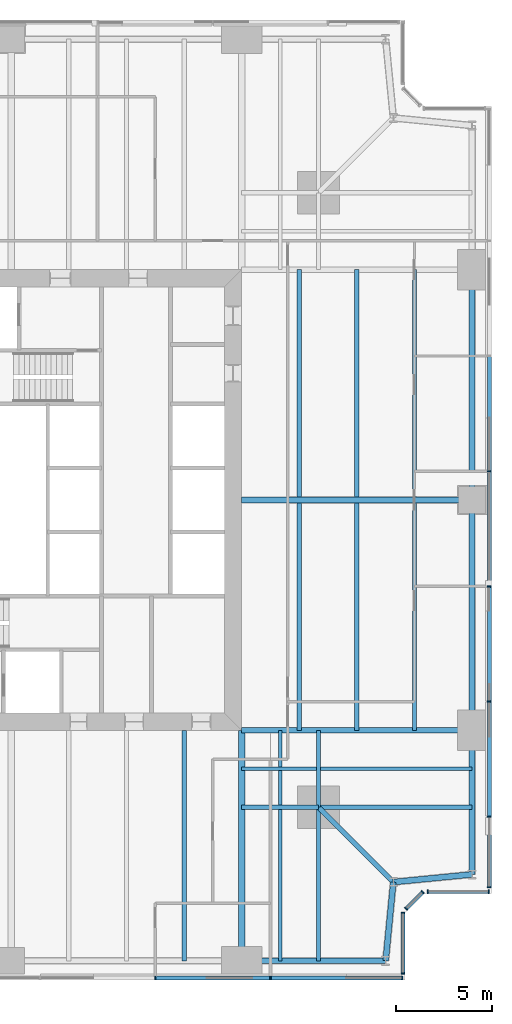
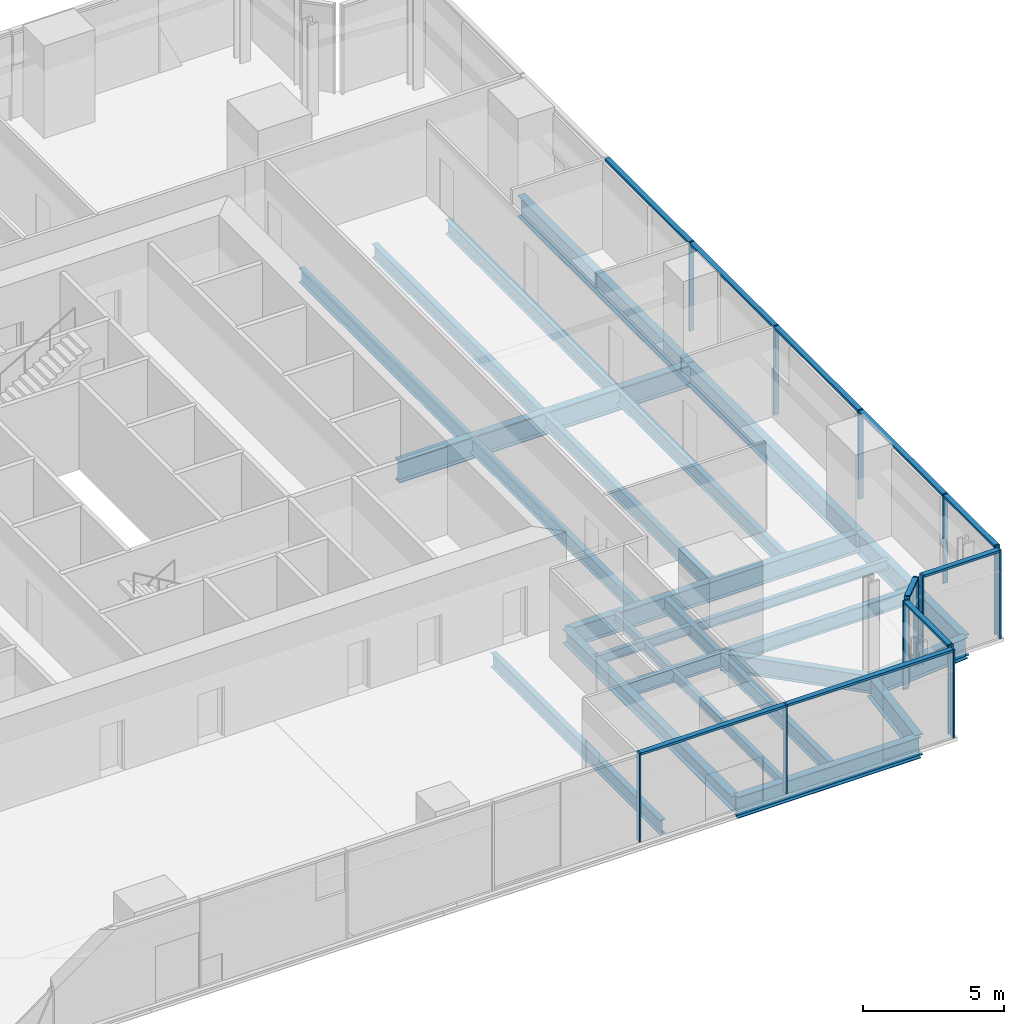
# One storey, part 5 of 14: 26 beams, 24 members, 5 elements without a shape of their own.
"""IFC4 building model written with IfcOpenShell, lengths in metres."""

from ifc_helpers import new_model, si_unit, direction, frame, origin, origin_2d, place, context, subcontext, project, spatial, rectangle, i_section, extrude, material, material_profile, profile_set, type_object, element, aggregate, save


model = new_model("IFC4")

# Units and contexts
model_context = context("Model", 3, precision=1e-05, world=origin(), true_north=direction((0.0, 1.0)))
body_context = subcontext(model_context, "Body", "Model", "MODEL_VIEW")
ifc_project = project(units=[si_unit("LENGTHUNIT", "METRE"), si_unit("AREAUNIT", "SQUARE_METRE"), si_unit("VOLUMEUNIT", "CUBIC_METRE"), si_unit("PLANEANGLEUNIT", "RADIAN"), si_unit("MASSUNIT", "GRAM", prefix="KILO")], contexts=[model_context])

# Site, building, storey
site_placement = place(None, origin())
site = spatial("IfcSite", under=ifc_project, at=site_placement, CompositionType="ELEMENT")
building_placement = place(site_placement, origin())
building = spatial("IfcBuilding", under=site, at=building_placement, Name="Fenwick Lantern Interchange", CompositionType="ELEMENT")
storey_placement = place(building_placement, frame((0.0, 0.0, 122.39990234375)))
storey = spatial("IfcBuildingStorey", under=building, at=storey_placement, Name="L28", CompositionType="ELEMENT", Elevation=122.39990234375)

# Beams
ifc_material_1 = material(Name="Steel ASTM A992 Grade 50", Category="steel")
ifc_material_profile_1 = material_profile(ifc_material_1, i_section(OverallWidth=0.3046875, OverallDepth=0.911865234375, WebThickness=0.015869140625, FlangeThickness=0.02392578125, at=origin_2d()), Name="W36X150")
ifc_profile_set_1 = profile_set([ifc_material_profile_1], Name="Steel ASTM A992 Grade 50")
beam_type_1 = type_object("IfcBeamType", Name="EDGE BEAM W36X150", PredefinedType="SPANDREL", material=ifc_profile_set_1)
beam_1_placement = place(storey_placement, frame((37.0, 1.0, -0.605712890625), z_axis=(1.0, 0.0, 0.0), x_axis=(0.0, 1.0, 0.0)))
element("IfcBeam", 1, at=beam_1_placement, inside=storey, type_object=beam_type_1, Name="L28/FR/S/EB4", PredefinedType="SPANDREL", context=body_context, shape_type="SweptSolid", body=[
    extrude(i_section(OverallWidth=0.3046875, OverallDepth=0.911865234375, WebThickness=0.015869140625, FlangeThickness=0.02392578125, at=origin_2d()), origin(), (0.0, 0.0, 1.0), 7.5),
])
for number, where, z_axis, x_axis, name in (
    (2, (44.5, 1.0, -0.605712890625), (0.097074191287, 0.995277148028, 0.0), (-0.995277148028, 0.097074191287, 0.0), "L28/FR/S/EBR1"),
    (3, (44.89990234375, 5.10009765625, -0.605712890625), (0.995277148028, 0.097074191287, 0.0), (-0.097074191287, 0.995277148028, 0.0), "L28/FR/S/EBR2"),
):
    element("IfcBeam", number, at=place(storey_placement, frame(where, z_axis=z_axis, x_axis=x_axis)), inside=storey, type_object=beam_type_1, Name=name, PredefinedType="SPANDREL", context=body_context, shape_type="SweptSolid", body=[
        extrude(i_section(OverallWidth=0.3046875, OverallDepth=0.911865234375, WebThickness=0.015869140625, FlangeThickness=0.02392578125, at=origin_2d()), origin(), (0.0, 0.0, 1.0), 4.11962890625),
    ])
beam_2_placement = place(storey_placement, frame((49.0, 5.5, -0.605712890625), z_axis=(0.0, 1.0, 0.0), x_axis=(-1.0, 0.0, 0.0)))
element("IfcBeam", 4, at=beam_2_placement, inside=storey, type_object=beam_type_1, Name="L28/FR/E/EB1", PredefinedType="SPANDREL", context=body_context, shape_type="SweptSolid", body=[
    extrude(i_section(OverallWidth=0.3046875, OverallDepth=0.911865234375, WebThickness=0.015869140625, FlangeThickness=0.02392578125, at=origin_2d()), origin(), (0.0, 0.0, 1.0), 7.5),
])
for number, where, z_axis, x_axis, name in (
    (5, (49.0, 13.0, -0.605712890625), (0.0, 1.0, 0.0), (-1.0, 0.0, 0.0), "L28/FR/E/EB2"),
    (6, (49.0, 25.0, -0.605712890625), (0.0, 1.0, 0.0), (-1.0, 0.0, 0.0), "L28/FR/E/EB3"),
):
    element("IfcBeam", number, at=place(storey_placement, frame(where, z_axis=z_axis, x_axis=x_axis)), inside=storey, type_object=beam_type_1, Name=name, PredefinedType="SPANDREL", context=body_context, shape_type="SweptSolid", body=[
        extrude(i_section(OverallWidth=0.3046875, OverallDepth=0.911865234375, WebThickness=0.015869140625, FlangeThickness=0.02392578125, at=origin_2d()), origin(), (0.0, 0.0, 1.0), 12.0),
    ])
ifc_material_profile_2 = material_profile(ifc_material_1, i_section(OverallWidth=0.22900390625, OverallDepth=0.612060546875, WebThickness=0.011962890625, FlangeThickness=0.01953125, at=origin_2d()), Name="W24X84")
ifc_profile_set_2 = profile_set([ifc_material_profile_2], Name="Steel ASTM A992 Grade 50")
beam_type_2 = type_object("IfcBeamType", Name="FLOOR BEAM W24X84", PredefinedType="BEAM", material=ifc_profile_set_2)
beam_3_placement = place(storey_placement, frame((34.0, 1.0, -0.4560546875), z_axis=(0.0, 1.0, 0.0), x_axis=(-1.0, 0.0, 0.0)))
element("IfcBeam", 7, at=beam_3_placement, inside=storey, type_object=beam_type_2, Name="L28/FR/S/R08", PredefinedType="BEAM", context=body_context, shape_type="SweptSolid", body=[
    extrude(i_section(OverallWidth=0.22900390625, OverallDepth=0.612060546875, WebThickness=0.011962890625, FlangeThickness=0.01953125, at=origin_2d()), origin(), (0.0, 0.0, 1.0), 12.0),
])
for number, where, z_axis, x_axis, name in (
    (8, (46.0, 13.0, -0.4560546875), (0.0, 1.0, 0.0), (-1.0, 0.0, 0.0), "L28/FR/E/B01"),
    (9, (43.0, 13.0, -0.4560546875), (0.0, 1.0, 0.0), (-1.0, 0.0, 0.0), "L28/FR/E/B02"),
    (10, (40.0, 13.0, -0.4560546875), (0.0, 1.0, 0.0), (-1.0, 0.0, 0.0), "L28/FR/E/B03"),
    (11, (46.0, 25.155029296875, -0.4560546875), (0.0, 1.0, 0.0), (-1.0, 0.0, 0.0), "L28/FR/E/B04"),
    (12, (43.0, 25.155029296875, -0.4560546875), (0.0, 1.0, 0.0), (-1.0, 0.0, 0.0), "L28/FR/E/B05"),
    (13, (40.0, 25.155029296875, -0.4560546875), (0.0, 1.0, 0.0), (-1.0, 0.0, 0.0), "L28/FR/E/B06"),
):
    element("IfcBeam", number, at=place(storey_placement, frame(where, z_axis=z_axis, x_axis=x_axis)), inside=storey, type_object=beam_type_2, Name=name, PredefinedType="BEAM", context=body_context, shape_type="SweptSolid", body=[
        extrude(i_section(OverallWidth=0.22900390625, OverallDepth=0.612060546875, WebThickness=0.011962890625, FlangeThickness=0.01953125, at=origin_2d()), origin(), (0.0, 0.0, 1.0), 11.844970703125),
    ])
ifc_material_profile_3 = material_profile(ifc_material_1, i_section(OverallWidth=0.177734375, OverallDepth=0.406494140625, WebThickness=0.0078125, FlangeThickness=0.012939453125, at=origin_2d()), Name="W16X40")
ifc_profile_set_3 = profile_set([ifc_material_profile_3], Name="Steel ASTM A992 Grade 50")
beam_type_3 = type_object("IfcBeamType", Name="INFILL BEAM W16X40", PredefinedType="JOIST", material=ifc_profile_set_3)
beam_4_placement = place(storey_placement, frame((49.0, 11.0, -0.35302734375), z_axis=(-1.0, 0.0, 0.0), x_axis=(0.0, -1.0, 0.0)))
element("IfcBeam", 14, at=beam_4_placement, inside=storey, type_object=beam_type_3, Name="L28/FR/E/J1", PredefinedType="JOIST", context=body_context, shape_type="SweptSolid", body=[
    extrude(i_section(OverallWidth=0.177734375, OverallDepth=0.406494140625, WebThickness=0.0078125, FlangeThickness=0.012939453125, at=origin_2d()), origin(), (0.0, 0.0, 1.0), 7.885498046875),
])
beam_5_placement = place(storey_placement, frame((40.885498046875, 11.0, -0.35302734375), z_axis=(-1.0, 0.0, 0.0), x_axis=(0.0, -1.0, 0.0)))
element("IfcBeam", 15, at=beam_5_placement, inside=storey, type_object=beam_type_3, Name="L28/FR/E/J2", PredefinedType="JOIST", context=body_context, shape_type="SweptSolid", body=[
    extrude(i_section(OverallWidth=0.177734375, OverallDepth=0.406494140625, WebThickness=0.0078125, FlangeThickness=0.012939453125, at=origin_2d()), origin(), (0.0, 0.0, 1.0), 3.885498046875),
])
beam_6_placement = place(storey_placement, frame((39.0, 1.0, -0.35302734375), z_axis=(0.0, 1.0, 0.0), x_axis=(-1.0, 0.0, 0.0)))
element("IfcBeam", 16, at=beam_6_placement, inside=storey, type_object=beam_type_3, Name="L28/FR/E/J3", PredefinedType="JOIST", context=body_context, shape_type="SweptSolid", body=[
    extrude(i_section(OverallWidth=0.177734375, OverallDepth=0.406494140625, WebThickness=0.0078125, FlangeThickness=0.012939453125, at=origin_2d()), origin(), (0.0, 0.0, 1.0), 7.885498046875),
])
beam_7_placement = place(storey_placement, frame((39.0, 9.114501953125, -0.35302734375), z_axis=(0.0, 1.0, 0.0), x_axis=(-1.0, 0.0, 0.0)))
element("IfcBeam", 17, at=beam_7_placement, inside=storey, type_object=beam_type_3, Name="L28/FR/E/J4", PredefinedType="JOIST", context=body_context, shape_type="SweptSolid", body=[
    extrude(i_section(OverallWidth=0.177734375, OverallDepth=0.406494140625, WebThickness=0.0078125, FlangeThickness=0.012939453125, at=origin_2d()), origin(), (0.0, 0.0, 1.0), 1.796630859375),
])
beam_8_placement = place(storey_placement, frame((39.0, 11.0888671875, -0.35302734375), z_axis=(0.0, 1.0, 0.0), x_axis=(-1.0, 0.0, 0.0)))
element("IfcBeam", 18, at=beam_8_placement, inside=storey, type_object=beam_type_3, Name="L28/FR/E/J5", PredefinedType="JOIST", context=body_context, shape_type="SweptSolid", body=[
    extrude(i_section(OverallWidth=0.177734375, OverallDepth=0.406494140625, WebThickness=0.0078125, FlangeThickness=0.012939453125, at=origin_2d()), origin(), (0.0, 0.0, 1.0), 1.9111328125),
])
ifc_material_profile_4 = material_profile(ifc_material_1, i_section(OverallWidth=0.22900390625, OverallDepth=0.612060546875, WebThickness=0.011962890625, FlangeThickness=0.01953125, at=origin_2d()), Name="W24X84")
ifc_profile_set_4 = profile_set([ifc_material_profile_4], Name="Steel ASTM A992 Grade 50")
beam_type_4 = type_object("IfcBeamType", Name="MEGA COLUMN BEAM W24X84", PredefinedType="BEAM", material=ifc_profile_set_4)
for number, where, z_axis, x_axis, name in (
    (19, (41.0, 9.0, -0.4560546875), (1.0, 0.0, 0.0), (0.0, 1.0, 0.0), "L28/FR/E/MB1"),
    (20, (41.0, 9.0, -0.4560546875), (0.0, -1.0, 0.0), (1.0, 0.0, 0.0), "L28/FR/E/MB2"),
):
    element("IfcBeam", number, at=place(storey_placement, frame(where, z_axis=z_axis, x_axis=x_axis)), inside=storey, type_object=beam_type_4, Name=name, PredefinedType="BEAM", context=body_context, shape_type="SweptSolid", body=[
        extrude(i_section(OverallWidth=0.22900390625, OverallDepth=0.612060546875, WebThickness=0.011962890625, FlangeThickness=0.01953125, at=origin_2d()), origin(), (0.0, 0.0, 1.0), 8.0),
    ])
for number, where, z_axis, x_axis, name in (
    (21, (41.0, 9.0, -0.4560546875), (0.0, 1.0, 0.0), (-1.0, 0.0, 0.0), "L28/FR/E/MB3"),
    (22, (41.0, 9.0, -0.4560546875), (-1.0, 0.0, 0.0), (0.0, -1.0, 0.0), "L28/FR/E/MB4"),
):
    element("IfcBeam", number, at=place(storey_placement, frame(where, z_axis=z_axis, x_axis=x_axis)), inside=storey, type_object=beam_type_4, Name=name, PredefinedType="BEAM", context=body_context, shape_type="SweptSolid", body=[
        extrude(i_section(OverallWidth=0.22900390625, OverallDepth=0.612060546875, WebThickness=0.011962890625, FlangeThickness=0.01953125, at=origin_2d()), origin(), (0.0, 0.0, 1.0), 4.0),
    ])
ifc_material_profile_5 = material_profile(ifc_material_1, i_section(OverallWidth=0.32763671875, OverallDepth=0.622314453125, WebThickness=0.015380859375, FlangeThickness=0.0244140625, at=origin_2d()), Name="W24X131")
ifc_profile_set_5 = profile_set([ifc_material_profile_5], Name="Steel ASTM A992 Grade 50")
beam_type_5 = type_object("IfcBeamType", Name="MOMENT-CONNECTED GIRDER W24X131", PredefinedType="BEAM", material=ifc_profile_set_5)
beam_9_placement = place(storey_placement, frame((37.0, 1.0, -0.4609375), z_axis=(0.0, 1.0, 0.0), x_axis=(-1.0, 0.0, 0.0)))
element("IfcBeam", 23, at=beam_9_placement, inside=storey, type_object=beam_type_5, Name="L28/FR/S/R09", PredefinedType="BEAM", context=body_context, shape_type="SweptSolid", body=[
    extrude(i_section(OverallWidth=0.32763671875, OverallDepth=0.622314453125, WebThickness=0.015380859375, FlangeThickness=0.0244140625, at=origin_2d()), origin(), (0.0, 0.0, 1.0), 12.0),
])
ifc_material_profile_6 = material_profile(ifc_material_1, i_section(OverallWidth=0.2919921875, OverallDepth=0.845703125, WebThickness=0.015380859375, FlangeThickness=0.0244140625, at=origin_2d()), Name="W33X141")
ifc_profile_set_6 = profile_set([ifc_material_profile_6], Name="Steel ASTM A992 Grade 50")
beam_type_6 = type_object("IfcBeamType", Name="MOMENT-CONNECTED GIRDER W33X141", PredefinedType="BEAM", material=ifc_profile_set_6)
beam_10_placement = place(storey_placement, frame((49.0, 13.0, -0.57275390625), z_axis=(-1.0, 0.0, 0.0), x_axis=(0.0, -1.0, 0.0)))
element("IfcBeam", 24, at=beam_10_placement, inside=storey, type_object=beam_type_6, Name="L28/FR/E/R01", PredefinedType="BEAM", context=body_context, shape_type="SweptSolid", body=[
    extrude(i_section(OverallWidth=0.2919921875, OverallDepth=0.845703125, WebThickness=0.015380859375, FlangeThickness=0.0244140625, at=origin_2d()), origin(), (0.0, 0.0, 1.0), 12.0),
])
ifc_material_profile_7 = material_profile(ifc_material_1, i_section(OverallWidth=0.309814453125, OverallDepth=0.949951171875, WebThickness=0.0244140625, FlangeThickness=0.0439453125, at=origin_2d()), Name="W36X256")
ifc_profile_set_7 = profile_set([ifc_material_profile_7], Name="Steel ASTM A992 Grade 50")
beam_type_7 = type_object("IfcBeamType", Name="MOMENT-CONNECTED GIRDER W36X256", PredefinedType="BEAM", material=ifc_profile_set_7)
beam_11_placement = place(storey_placement, frame((49.0, 25.0, -0.625), z_axis=(-1.0, 0.0, 0.0), x_axis=(0.0, -1.0, 0.0)))
element("IfcBeam", 25, at=beam_11_placement, inside=storey, type_object=beam_type_7, Name="L28/FR/E/R02", PredefinedType="BEAM", context=body_context, shape_type="SweptSolid", body=[
    extrude(i_section(OverallWidth=0.309814453125, OverallDepth=0.949951171875, WebThickness=0.0244140625, FlangeThickness=0.0439453125, at=origin_2d()), origin(), (0.0, 0.0, 1.0), 12.0),
])
ifc_material_profile_8 = material_profile(ifc_material_1, i_section(OverallWidth=0.2666015625, OverallDepth=0.7568359375, WebThickness=0.013916015625, FlangeThickness=0.019287109375, at=origin_2d()), Name="W30X108")
ifc_profile_set_8 = profile_set([ifc_material_profile_8], Name="Steel ASTM A992 Grade 50")
beam_type_8 = type_object("IfcBeamType", Name="NOTCH BEAM W30X108", PredefinedType="BEAM", material=ifc_profile_set_8)
beam_12_placement = place(storey_placement, frame((41.0, 9.0, -0.5283203125), z_axis=(0.707106781187, -0.707106781187, 0.0), x_axis=(0.707106781187, 0.707106781187, 0.0)))
element("IfcBeam", 26, at=beam_12_placement, inside=storey, type_object=beam_type_8, Name="L28/FR/E/TG", PredefinedType="BEAM", context=body_context, shape_type="SweptSolid", body=[
    extrude(i_section(OverallWidth=0.2666015625, OverallDepth=0.7568359375, WebThickness=0.013916015625, FlangeThickness=0.019287109375, at=origin_2d()), origin(), (0.0, 0.0, 1.0), 5.515380859375),
])

# Curtain wall, members
ifc_material_2 = material(Name="Aluminium curtain wall frame", Category="aluminium")
curtain_wall_type = type_object("IfcCurtainWallType", Name="OFFICE CURTAIN WALL", PredefinedType="USERDEFINED", material=ifc_material_2)
curtain_wall_1_placement = place(storey_placement, origin())
curtain_wall_1 = element("IfcCurtainWall", 27, at=curtain_wall_1_placement, inside=storey, type_object=curtain_wall_type, Name="Office curtain wall 01", ObjectType="OFFICE CURTAIN WALL", PredefinedType="USERDEFINED")
ifc_material_3 = material(Name="Aluminium extrusion", Category="aluminium")
ifc_material_profile_9 = material_profile(ifc_material_3, rectangle(XDim=0.199951171875, YDim=0.06494140625, at=origin_2d()), Name="OFFICE CURTAIN WALL MULLION 65 X 200")
ifc_profile_set_9 = profile_set([ifc_material_profile_9], Name="Aluminium extrusion")
member_type_1 = type_object("IfcMemberType", Name="OFFICE CURTAIN WALL MULLION 65 X 200", PredefinedType="MULLION", material=ifc_profile_set_9)
member_1_placement = place(storey_placement, frame((32.5, 0.10009765625, 0.0), z_axis=(0.0, 0.0, 1.0), x_axis=(0.0, 1.0, 0.0)))
member_1 = element("IfcMember", 28, at=member_1_placement, type_object=member_type_1, Name="L28/CW/01/M05", PredefinedType="MULLION", context=body_context, shape_type="SweptSolid", body=[
    extrude(rectangle(XDim=0.199951171875, YDim=0.06494140625, at=origin_2d()), origin(), (0.0, 0.0, 1.0), 3.85009765625),
])
member_2_placement = place(storey_placement, frame((38.5, 0.10009765625, 0.0), z_axis=(0.0, 0.0, 1.0), x_axis=(0.0, 1.0, 0.0)))
member_2 = element("IfcMember", 29, at=member_2_placement, type_object=member_type_1, Name="L28/CW/01/M06", PredefinedType="MULLION", context=body_context, shape_type="SweptSolid", body=[
    extrude(rectangle(XDim=0.199951171875, YDim=0.06494140625, at=origin_2d()), origin(), (0.0, 0.0, 1.0), 3.85009765625),
])
member_3_placement = place(storey_placement, frame((45.367431640625, 0.10009765625, 0.0), z_axis=(0.0, 0.0, 1.0), x_axis=(0.0, 1.0, 0.0)))
member_3 = element("IfcMember", 30, at=member_3_placement, type_object=member_type_1, Name="L28/CW/01/M07", PredefinedType="MULLION", context=body_context, shape_type="SweptSolid", body=[
    extrude(rectangle(XDim=0.199951171875, YDim=0.06494140625, at=origin_2d()), origin(), (0.0, 0.0, 1.0), 3.85009765625),
])

curtain_wall_2_placement = place(storey_placement, origin())
curtain_wall_2 = element("IfcCurtainWall", 31, at=curtain_wall_2_placement, inside=storey, type_object=curtain_wall_type, Name="Office curtain wall 02", ObjectType="OFFICE CURTAIN WALL", PredefinedType="USERDEFINED")
member_4_placement = place(storey_placement, frame((45.39990234375, 0.33251953125, 0.0), z_axis=(0.0, 0.0, 1.0), x_axis=(-1.0, 0.0, 0.0)))
member_4 = element("IfcMember", 32, at=member_4_placement, type_object=member_type_1, Name="L28/CW/02/M00", PredefinedType="MULLION", context=body_context, shape_type="SweptSolid", body=[
    extrude(rectangle(XDim=0.199951171875, YDim=0.06494140625, at=origin_2d()), origin(), (0.0, 0.0, 1.0), 3.85009765625),
])
member_5_placement = place(storey_placement, frame((45.39990234375, 3.509033203125, 0.0), z_axis=(0.0, 0.0, 1.0), x_axis=(-1.0, 0.0, 0.0)))
member_5 = element("IfcMember", 33, at=member_5_placement, type_object=member_type_1, Name="L28/CW/02/M01", PredefinedType="MULLION", context=body_context, shape_type="SweptSolid", body=[
    extrude(rectangle(XDim=0.199951171875, YDim=0.06494140625, at=origin_2d()), origin(), (0.0, 0.0, 1.0), 3.85009765625),
])

curtain_wall_3_placement = place(storey_placement, origin())
curtain_wall_3 = element("IfcCurtainWall", 34, at=curtain_wall_3_placement, inside=storey, type_object=curtain_wall_type, Name="Office curtain wall 03", ObjectType="OFFICE CURTAIN WALL", PredefinedType="USERDEFINED")
member_6_placement = place(storey_placement, frame((45.564453125, 3.705810546875, 0.0), z_axis=(0.0, 0.0, 1.0), x_axis=(-0.707106781187, 0.707106781187, 0.0)))
member_6 = element("IfcMember", 35, at=member_6_placement, type_object=member_type_1, Name="L28/CW/03/M00", PredefinedType="MULLION", context=body_context, shape_type="SweptSolid", body=[
    extrude(rectangle(XDim=0.199951171875, YDim=0.06494140625, at=origin_2d()), origin(), (0.0, 0.0, 1.0), 3.85009765625),
])
member_7_placement = place(storey_placement, frame((46.435546875, 4.576904296875, 0.0), z_axis=(0.0, 0.0, 1.0), x_axis=(-0.707106781187, 0.707106781187, 0.0)))
member_7 = element("IfcMember", 36, at=member_7_placement, type_object=member_type_1, Name="L28/CW/03/M01", PredefinedType="MULLION", context=body_context, shape_type="SweptSolid", body=[
    extrude(rectangle(XDim=0.199951171875, YDim=0.06494140625, at=origin_2d()), origin(), (0.0, 0.0, 1.0), 3.85009765625),
])

curtain_wall_4_placement = place(storey_placement, origin())
curtain_wall_4 = element("IfcCurtainWall", 37, at=curtain_wall_4_placement, inside=storey, type_object=curtain_wall_type, Name="Office curtain wall 04", ObjectType="OFFICE CURTAIN WALL", PredefinedType="USERDEFINED")
member_8_placement = place(storey_placement, frame((46.691162109375, 4.60009765625, 0.0), z_axis=(0.0, 0.0, 1.0), x_axis=(0.0, 1.0, 0.0)))
member_8 = element("IfcMember", 38, at=member_8_placement, type_object=member_type_1, Name="L28/CW/04/M00", PredefinedType="MULLION", context=body_context, shape_type="SweptSolid", body=[
    extrude(rectangle(XDim=0.199951171875, YDim=0.06494140625, at=origin_2d()), origin(), (0.0, 0.0, 1.0), 3.85009765625),
])
member_9_placement = place(storey_placement, frame((49.867431640625, 4.60009765625, 0.0), z_axis=(0.0, 0.0, 1.0), x_axis=(0.0, 1.0, 0.0)))
member_9 = element("IfcMember", 39, at=member_9_placement, type_object=member_type_1, Name="L28/CW/04/M01", PredefinedType="MULLION", context=body_context, shape_type="SweptSolid", body=[
    extrude(rectangle(XDim=0.199951171875, YDim=0.06494140625, at=origin_2d()), origin(), (0.0, 0.0, 1.0), 3.85009765625),
])

curtain_wall_5_placement = place(storey_placement, origin())
curtain_wall_5 = element("IfcCurtainWall", 40, at=curtain_wall_5_placement, inside=storey, type_object=curtain_wall_type, Name="Office curtain wall 05", ObjectType="OFFICE CURTAIN WALL", PredefinedType="USERDEFINED")
member_10_placement = place(storey_placement, frame((49.89990234375, 4.83251953125, 0.0), z_axis=(0.0, 0.0, 1.0), x_axis=(-1.0, 0.0, 0.0)))
member_10 = element("IfcMember", 41, at=member_10_placement, type_object=member_type_1, Name="L28/CW/05/M00", PredefinedType="MULLION", context=body_context, shape_type="SweptSolid", body=[
    extrude(rectangle(XDim=0.199951171875, YDim=0.06494140625, at=origin_2d()), origin(), (0.0, 0.0, 1.0), 3.85009765625),
])
member_11_placement = place(storey_placement, frame((49.89990234375, 8.5, 0.0), z_axis=(0.0, 0.0, 1.0), x_axis=(-1.0, 0.0, 0.0)))
member_11 = element("IfcMember", 42, at=member_11_placement, type_object=member_type_1, Name="L28/CW/05/M01", PredefinedType="MULLION", context=body_context, shape_type="SweptSolid", body=[
    extrude(rectangle(XDim=0.199951171875, YDim=0.06494140625, at=origin_2d()), origin(), (0.0, 0.0, 1.0), 3.85009765625),
])
member_12_placement = place(storey_placement, frame((49.89990234375, 14.5, 0.0), z_axis=(0.0, 0.0, 1.0), x_axis=(-1.0, 0.0, 0.0)))
member_12 = element("IfcMember", 43, at=member_12_placement, type_object=member_type_1, Name="L28/CW/05/M02", PredefinedType="MULLION", context=body_context, shape_type="SweptSolid", body=[
    extrude(rectangle(XDim=0.199951171875, YDim=0.06494140625, at=origin_2d()), origin(), (0.0, 0.0, 1.0), 3.85009765625),
])
member_13_placement = place(storey_placement, frame((49.89990234375, 20.5, 0.0), z_axis=(0.0, 0.0, 1.0), x_axis=(-1.0, 0.0, 0.0)))
member_13 = element("IfcMember", 44, at=member_13_placement, type_object=member_type_1, Name="L28/CW/05/M03", PredefinedType="MULLION", context=body_context, shape_type="SweptSolid", body=[
    extrude(rectangle(XDim=0.199951171875, YDim=0.06494140625, at=origin_2d()), origin(), (0.0, 0.0, 1.0), 3.85009765625),
])
member_14_placement = place(storey_placement, frame((49.89990234375, 26.5, 0.0), z_axis=(0.0, 0.0, 1.0), x_axis=(-1.0, 0.0, 0.0)))
member_14 = element("IfcMember", 45, at=member_14_placement, type_object=member_type_1, Name="L28/CW/05/M04", PredefinedType="MULLION", context=body_context, shape_type="SweptSolid", body=[
    extrude(rectangle(XDim=0.199951171875, YDim=0.06494140625, at=origin_2d()), origin(), (0.0, 0.0, 1.0), 3.85009765625),
])

# Member
ifc_material_profile_10 = material_profile(ifc_material_3, rectangle(XDim=0.199951171875, YDim=0.10009765625, at=origin_2d()), Name="OFFICE CURTAIN WALL TRANSOM 100 X 200")
ifc_profile_set_10 = profile_set([ifc_material_profile_10], Name="Aluminium extrusion")
member_type_2 = type_object("IfcMemberType", Name="OFFICE CURTAIN WALL TRANSOM 100 X 200", PredefinedType="MULLION", material=ifc_profile_set_10)
member_15_placement = place(storey_placement, frame((32.532470703125, 0.10009765625, 3.800048828125), z_axis=(1.0, 0.0, 0.0), x_axis=(0.0, 1.0, 0.0)))
member_15 = element("IfcMember", 46, at=member_15_placement, type_object=member_type_2, Name="L28/CW/01/T05", PredefinedType="MULLION", context=body_context, shape_type="SweptSolid", body=[
    extrude(rectangle(XDim=0.199951171875, YDim=0.10009765625, at=origin_2d()), origin(), (0.0, 0.0, 1.0), 5.93505859375),
])

member_16_placement = place(storey_placement, frame((38.532470703125, 0.10009765625, 3.800048828125), z_axis=(1.0, 0.0, 0.0), x_axis=(0.0, 1.0, 0.0)))
member_16 = element("IfcMember", 47, at=member_16_placement, type_object=member_type_2, Name="L28/CW/01/T06", PredefinedType="MULLION", context=body_context, shape_type="SweptSolid", body=[
    extrude(rectangle(XDim=0.199951171875, YDim=0.10009765625, at=origin_2d()), origin(), (0.0, 0.0, 1.0), 6.802490234375),
])

aggregate(curtain_wall_1, [member_1, member_2, member_3, member_15, member_16])

member_17_placement = place(storey_placement, frame((45.39990234375, 0.364990234375, 3.800048828125), z_axis=(0.0, 1.0, 0.0), x_axis=(-1.0, 0.0, 0.0)))
member_17 = element("IfcMember", 48, at=member_17_placement, type_object=member_type_2, Name="L28/CW/02/T00", PredefinedType="MULLION", context=body_context, shape_type="SweptSolid", body=[
    extrude(rectangle(XDim=0.199951171875, YDim=0.10009765625, at=origin_2d()), origin(), (0.0, 0.0, 1.0), 3.111328125),
])

aggregate(curtain_wall_2, [member_4, member_5, member_17])

member_18_placement = place(storey_placement, frame((45.58740234375, 3.728759765625, 3.800048828125), z_axis=(0.707106781187, 0.707106781187, 0.0), x_axis=(-0.707106781187, 0.707106781187, 0.0)))
member_18 = element("IfcMember", 49, at=member_18_placement, type_object=member_type_2, Name="L28/CW/03/T00", PredefinedType="MULLION", context=body_context, shape_type="SweptSolid", body=[
    extrude(rectangle(XDim=0.199951171875, YDim=0.10009765625, at=origin_2d()), origin(), (0.0, 0.0, 1.0), 1.1669921875),
])

aggregate(curtain_wall_3, [member_6, member_7, member_18])

member_19_placement = place(storey_placement, frame((46.7236328125, 4.60009765625, 3.800048828125), z_axis=(1.0, 0.0, 0.0), x_axis=(0.0, 1.0, 0.0)))
member_19 = element("IfcMember", 50, at=member_19_placement, type_object=member_type_2, Name="L28/CW/04/T00", PredefinedType="MULLION", context=body_context, shape_type="SweptSolid", body=[
    extrude(rectangle(XDim=0.199951171875, YDim=0.10009765625, at=origin_2d()), origin(), (0.0, 0.0, 1.0), 3.111328125),
])

aggregate(curtain_wall_4, [member_8, member_9, member_19])

member_20_placement = place(storey_placement, frame((49.89990234375, 4.864990234375, 3.800048828125), z_axis=(0.0, 1.0, 0.0), x_axis=(-1.0, 0.0, 0.0)))
member_20 = element("IfcMember", 51, at=member_20_placement, type_object=member_type_2, Name="L28/CW/05/T00", PredefinedType="MULLION", context=body_context, shape_type="SweptSolid", body=[
    extrude(rectangle(XDim=0.199951171875, YDim=0.10009765625, at=origin_2d()), origin(), (0.0, 0.0, 1.0), 3.6025390625),
])

member_21_placement = place(storey_placement, frame((49.89990234375, 8.532470703125, 3.800048828125), z_axis=(0.0, 1.0, 0.0), x_axis=(-1.0, 0.0, 0.0)))
member_21 = element("IfcMember", 52, at=member_21_placement, type_object=member_type_2, Name="L28/CW/05/T01", PredefinedType="MULLION", context=body_context, shape_type="SweptSolid", body=[
    extrude(rectangle(XDim=0.199951171875, YDim=0.10009765625, at=origin_2d()), origin(), (0.0, 0.0, 1.0), 5.93505859375),
])

member_22_placement = place(storey_placement, frame((49.89990234375, 14.532470703125, 3.800048828125), z_axis=(0.0, 1.0, 0.0), x_axis=(-1.0, 0.0, 0.0)))
member_22 = element("IfcMember", 53, at=member_22_placement, type_object=member_type_2, Name="L28/CW/05/T02", PredefinedType="MULLION", context=body_context, shape_type="SweptSolid", body=[
    extrude(rectangle(XDim=0.199951171875, YDim=0.10009765625, at=origin_2d()), origin(), (0.0, 0.0, 1.0), 5.93505859375),
])

member_23_placement = place(storey_placement, frame((49.89990234375, 20.532470703125, 3.800048828125), z_axis=(0.0, 1.0, 0.0), x_axis=(-1.0, 0.0, 0.0)))
member_23 = element("IfcMember", 54, at=member_23_placement, type_object=member_type_2, Name="L28/CW/05/T03", PredefinedType="MULLION", context=body_context, shape_type="SweptSolid", body=[
    extrude(rectangle(XDim=0.199951171875, YDim=0.10009765625, at=origin_2d()), origin(), (0.0, 0.0, 1.0), 5.93505859375),
])

member_24_placement = place(storey_placement, frame((49.89990234375, 26.532470703125, 3.800048828125), z_axis=(0.0, 1.0, 0.0), x_axis=(-1.0, 0.0, 0.0)))
member_24 = element("IfcMember", 55, at=member_24_placement, type_object=member_type_2, Name="L28/CW/05/T04", PredefinedType="MULLION", context=body_context, shape_type="SweptSolid", body=[
    extrude(rectangle(XDim=0.199951171875, YDim=0.10009765625, at=origin_2d()), origin(), (0.0, 0.0, 1.0), 5.93505859375),
])

aggregate(curtain_wall_5, [member_10, member_11, member_12, member_13, member_14, member_20, member_21, member_22, member_23, member_24])

save(model, "model.ifc")
